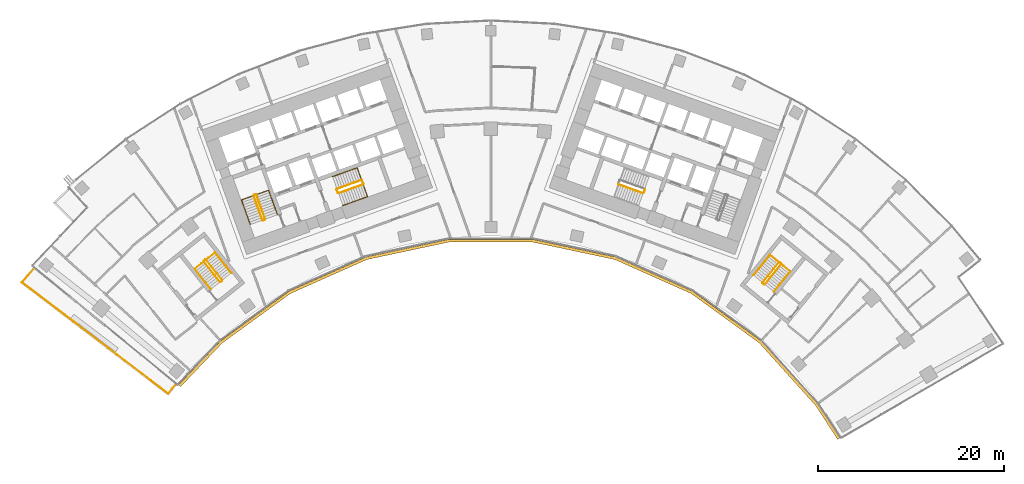
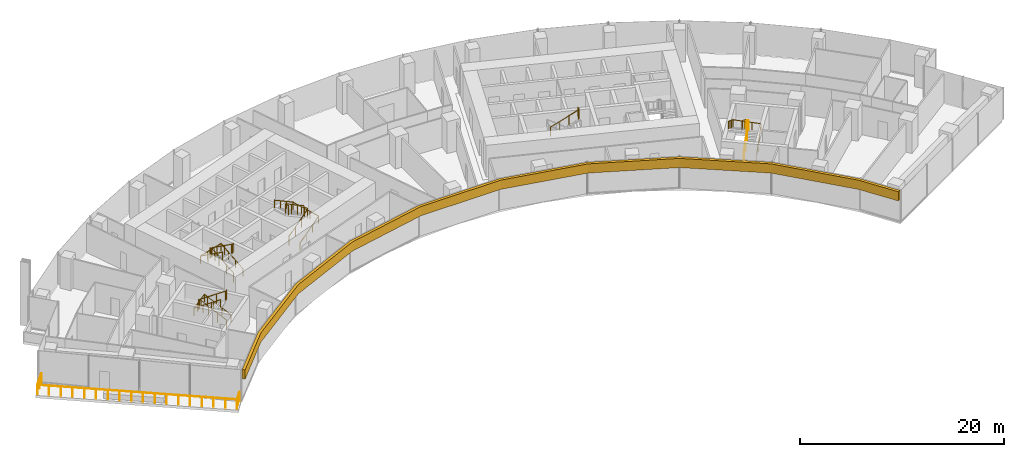
# One storey, part 19 of 20: 14 railings, 1 covering.
"""IFC4 building model written with IfcOpenShell, lengths in metres."""

from ifc_helpers import new_model, si_unit, direction, frame, origin, origin_2d, place, context, subcontext, project, spatial, polyline, circle, outline, extrude, material, layer, layer_set, type_object, element, save


model = new_model("IFC4")

# Units and contexts
model_context = context("Model", 3, precision=1e-05, world=origin(), true_north=direction((0.0, 1.0)))
body_context = subcontext(model_context, "Body", "Model", "MODEL_VIEW")
ifc_project = project(units=[si_unit("LENGTHUNIT", "METRE"), si_unit("AREAUNIT", "SQUARE_METRE"), si_unit("VOLUMEUNIT", "CUBIC_METRE"), si_unit("PLANEANGLEUNIT", "RADIAN"), si_unit("MASSUNIT", "GRAM", prefix="KILO")], contexts=[model_context])

# Site, building, storey
site_placement = place(None, origin())
site = spatial("IfcSite", under=ifc_project, at=site_placement, CompositionType="ELEMENT")
building_placement = place(site_placement, origin())
building = spatial("IfcBuilding", under=site, at=building_placement, Name="Stone Belt Terrace Tower", CompositionType="ELEMENT")
storey_placement = place(building_placement, frame((0.0, 0.0, 102.199951171875)))
storey = spatial("IfcBuildingStorey", under=building, at=storey_placement, Name="L24", CompositionType="ELEMENT", Elevation=102.199951171875)

# Railings
ifc_material_1 = material(Name="Structural steel C345", Category="steel")
railing_type_1 = type_object("IfcRailingType", Name="Stair guard 1100", PredefinedType="GUARDRAIL", material=ifc_material_1)
railing_1_placement = place(storey_placement, frame((-24.2119140625, 45.276123046875, 0.1728515625)))
element("IfcRailing", 1, at=railing_1_placement, inside=storey, type_object=railing_type_1, Name="L24 ST1A stair guard 1", PredefinedType="GUARDRAIL", context=body_context, shape_type="SweptSolid", body=[
    extrude(circle(Radius=0.02392578125, at=origin_2d()), frame((0.0, 0.0, 1.076171875), z_axis=(-0.288228637646, 0.800791768495, 0.525030280985), x_axis=(-0.940908529223, -0.338660803216, 0.0)), (0.0, 0.0, 1.0), 3.289794921875),
    extrude(circle(Radius=0.02392578125, at=origin_2d()), frame((-0.9482421875, 2.634521484375, 2.80322265625), z_axis=(-0.905209821074, 0.424964916, 0.0), x_axis=(-0.424964916, -0.905209821074, 0.0)), (0.0, 0.0, 1.0), 0.070556640625),
    extrude(circle(Radius=0.02392578125, at=origin_2d()), frame((-1.01220703125, 2.66455078125, 2.80322265625), z_axis=(-0.941105063269, -0.338114270461, 0.0), x_axis=(0.338114270461, -0.941105063269, 0.0)), (0.0, 0.0, 1.0), 0.199951171875),
    extrude(circle(Radius=0.02099609375, at=origin_2d()), origin(), (0.0, 0.0, 1.0), 1.052001953125),
    extrude(circle(Radius=0.02099609375, at=origin_2d()), frame((-0.316162109375, 0.878173828125, 0.57568359375)), (0.0, 0.0, 1.0), 1.052001953125),
    extrude(circle(Radius=0.02099609375, at=origin_2d()), frame((-0.632080078125, 1.75634765625, 1.151611328125)), (0.0, 0.0, 1.0), 1.052001953125),
    extrude(circle(Radius=0.02099609375, at=origin_2d()), frame((-0.9482421875, 2.634521484375, 1.727294921875)), (0.0, 0.0, 1.0), 1.052001953125),
    extrude(circle(Radius=0.02099609375, at=origin_2d()), frame((-1.01220703125, 2.66455078125, 1.727294921875)), (0.0, 0.0, 1.0), 1.052001953125),
    extrude(circle(Radius=0.02099609375, at=origin_2d()), frame((-1.200439453125, 2.596923828125, 1.727294921875)), (0.0, 0.0, 1.0), 1.052001953125),
])
railing_2_placement = place(storey_placement, frame((-25.4423828125, 47.80908203125, 2.07275390625)))
element("IfcRailing", 2, at=railing_2_placement, inside=storey, type_object=railing_type_1, Name="L24 ST1A stair guard 2", PredefinedType="GUARDRAIL", context=body_context, shape_type="SweptSolid", body=[
    extrude(circle(Radius=0.02392578125, at=origin_2d()), frame((0.0, 0.0, 1.076171875), z_axis=(0.288228637646, -0.800791768495, 0.525030280985), x_axis=(0.940908529223, 0.338660803216, 0.0)), (0.0, 0.0, 1.0), 3.289794921875),
    extrude(circle(Radius=0.02392578125, at=origin_2d()), frame((0.9482421875, -2.634521484375, 2.80322265625), z_axis=(0.903878284585, -0.427789722475, 0.0), x_axis=(0.427789722475, 0.903878284585, 0.0)), (0.0, 0.0, 1.0), 0.07080078125),
    extrude(circle(Radius=0.02392578125, at=origin_2d()), frame((1.01220703125, -2.664794921875, 2.80322265625), z_axis=(0.940575576748, 0.339584429008, 0.0), x_axis=(-0.339584429008, 0.940575576748, 0.0)), (0.0, 0.0, 1.0), 0.199951171875),
    extrude(circle(Radius=0.02099609375, at=origin_2d()), origin(), (0.0, 0.0, 1.0), 1.052001953125),
    extrude(circle(Radius=0.02099609375, at=origin_2d()), frame((0.316162109375, -0.878173828125, 0.57568359375)), (0.0, 0.0, 1.0), 1.052001953125),
    extrude(circle(Radius=0.02099609375, at=origin_2d()), frame((0.632080078125, -1.75634765625, 1.151611328125)), (0.0, 0.0, 1.0), 1.052001953125),
    extrude(circle(Radius=0.02099609375, at=origin_2d()), frame((0.9482421875, -2.634521484375, 1.727294921875)), (0.0, 0.0, 1.0), 1.052001953125),
    extrude(circle(Radius=0.02099609375, at=origin_2d()), frame((1.01220703125, -2.664794921875, 1.727294921875)), (0.0, 0.0, 1.0), 1.052001953125),
    extrude(circle(Radius=0.02099609375, at=origin_2d()), frame((1.2001953125, -2.596923828125, 1.727294921875)), (0.0, 0.0, 1.0), 1.052001953125),
])
railing_3_placement = place(storey_placement, frame((-16.33837890625, 48.056640625, 0.1728515625)))
element("IfcRailing", 3, at=railing_3_placement, inside=storey, type_object=railing_type_1, Name="L24 ST2A stair guard 1", PredefinedType="GUARDRAIL", context=body_context, shape_type="SweptSolid", body=[
    extrude(circle(Radius=0.02392578125, at=origin_2d()), frame((0.0, 0.0, 1.076171875), z_axis=(0.800808895155, 0.288160591223, 0.52504150989), x_axis=(-0.338583606334, 0.940936311087, 0.0)), (0.0, 0.0, 1.0), 3.289794921875),
    extrude(circle(Radius=0.02392578125, at=origin_2d()), frame((2.634521484375, 0.947998046875, 2.80322265625), z_axis=(0.427789722475, 0.903878284585, 0.0), x_axis=(-0.903878284585, 0.427789722475, 0.0)), (0.0, 0.0, 1.0), 0.07080078125),
    extrude(circle(Radius=0.02392578125, at=origin_2d()), frame((2.664794921875, 1.011962890625, 2.80322265625), z_axis=(-0.338654645739, 0.940910745459, 0.0), x_axis=(-0.940910745459, -0.338654645739, 0.0)), (0.0, 0.0, 1.0), 0.400146484375),
    extrude(circle(Radius=0.02099609375, at=origin_2d()), origin(), (0.0, 0.0, 1.0), 1.052001953125),
    extrude(circle(Radius=0.02099609375, at=origin_2d()), frame((0.878173828125, 0.31591796875, 0.57568359375)), (0.0, 0.0, 1.0), 1.052001953125),
    extrude(circle(Radius=0.02099609375, at=origin_2d()), frame((1.75634765625, 0.632080078125, 1.151611328125)), (0.0, 0.0, 1.0), 1.052001953125),
    extrude(circle(Radius=0.02099609375, at=origin_2d()), frame((2.634521484375, 0.947998046875, 1.727294921875)), (0.0, 0.0, 1.0), 1.052001953125),
    extrude(circle(Radius=0.02099609375, at=origin_2d()), frame((2.664794921875, 1.011962890625, 1.727294921875)), (0.0, 0.0, 1.0), 1.052001953125),
    extrude(circle(Radius=0.02099609375, at=origin_2d()), frame((2.529296875, 1.388427734375, 1.727294921875)), (0.0, 0.0, 1.0), 1.052001953125),
])
railing_4_placement = place(storey_placement, frame((-13.873046875, 49.47509765625, 2.07275390625)))
element("IfcRailing", 4, at=railing_4_placement, inside=storey, type_object=railing_type_1, Name="L24 ST2A stair guard 2", PredefinedType="GUARDRAIL", context=body_context, shape_type="SweptSolid", body=[
    extrude(circle(Radius=0.02392578125, at=origin_2d()), frame((0.0, 0.0, 1.076171875), z_axis=(-0.800808895155, -0.288160591223, 0.52504150989), x_axis=(0.338583606334, -0.940936311087, 0.0)), (0.0, 0.0, 1.0), 3.289794921875),
    extrude(circle(Radius=0.02392578125, at=origin_2d()), frame((-2.634521484375, -0.947998046875, 2.80322265625), z_axis=(-0.427789722475, -0.903878284585, 0.0), x_axis=(0.903878284585, -0.427789722475, 0.0)), (0.0, 0.0, 1.0), 0.07080078125),
    extrude(circle(Radius=0.02392578125, at=origin_2d()), frame((-2.664794921875, -1.011962890625, 2.80322265625), z_axis=(0.338654645739, -0.940910745459, 0.0), x_axis=(0.940910745459, 0.338654645739, 0.0)), (0.0, 0.0, 1.0), 0.400146484375),
    extrude(circle(Radius=0.02099609375, at=origin_2d()), origin(), (0.0, 0.0, 1.0), 1.052001953125),
    extrude(circle(Radius=0.02099609375, at=origin_2d()), frame((-0.878173828125, -0.31591796875, 0.57568359375)), (0.0, 0.0, 1.0), 1.052001953125),
    extrude(circle(Radius=0.02099609375, at=origin_2d()), frame((-1.75634765625, -0.632080078125, 1.151611328125)), (0.0, 0.0, 1.0), 1.052001953125),
    extrude(circle(Radius=0.02099609375, at=origin_2d()), frame((-2.634521484375, -0.947998046875, 1.727294921875)), (0.0, 0.0, 1.0), 1.052001953125),
    extrude(circle(Radius=0.02099609375, at=origin_2d()), frame((-2.664794921875, -1.011962890625, 1.727294921875)), (0.0, 0.0, 1.0), 1.052001953125),
    extrude(circle(Radius=0.02099609375, at=origin_2d()), frame((-2.529296875, -1.388427734375, 1.727294921875)), (0.0, 0.0, 1.0), 1.052001953125),
])
railing_5_placement = place(storey_placement, frame((13.703857421875, 49.004638671875, 2.07275390625)))
element("IfcRailing", 5, at=railing_5_placement, inside=storey, type_object=railing_type_1, Name="L24 ST2B stair guard 2", PredefinedType="GUARDRAIL", context=body_context, shape_type="SweptSolid", body=[
    extrude(circle(Radius=0.02392578125, at=origin_2d()), frame((0.0, 0.0, 1.076171875), z_axis=(0.800808895155, -0.288160591223, 0.52504150989), x_axis=(0.338583606334, 0.940936311087, 0.0)), (0.0, 0.0, 1.0), 3.289794921875),
    extrude(circle(Radius=0.02392578125, at=origin_2d()), frame((2.634521484375, -0.947998046875, 2.80322265625), z_axis=(0.905209821074, 0.424964916, 0.0), x_axis=(-0.424964916, 0.905209821074, 0.0)), (0.0, 0.0, 1.0), 0.070556640625),
    extrude(circle(Radius=0.02392578125, at=origin_2d()), frame((2.698486328125, -0.91796875, 2.80322265625), z_axis=(0.338654645739, 0.940910745459, 0.0), x_axis=(-0.940910745459, 0.338654645739, 0.0)), (0.0, 0.0, 1.0), 0.400146484375),
    extrude(circle(Radius=0.02099609375, at=origin_2d()), origin(), (0.0, 0.0, 1.0), 1.052001953125),
    extrude(circle(Radius=0.02099609375, at=origin_2d()), frame((0.878173828125, -0.31591796875, 0.57568359375)), (0.0, 0.0, 1.0), 1.052001953125),
    extrude(circle(Radius=0.02099609375, at=origin_2d()), frame((1.75634765625, -0.632080078125, 1.151611328125)), (0.0, 0.0, 1.0), 1.052001953125),
    extrude(circle(Radius=0.02099609375, at=origin_2d()), frame((2.634521484375, -0.947998046875, 1.727294921875)), (0.0, 0.0, 1.0), 1.052001953125),
    extrude(circle(Radius=0.02099609375, at=origin_2d()), frame((2.698486328125, -0.91796875, 1.727294921875)), (0.0, 0.0, 1.0), 1.052001953125),
    extrude(circle(Radius=0.02099609375, at=origin_2d()), frame((2.833984375, -0.54150390625, 1.727294921875)), (0.0, 0.0, 1.0), 1.052001953125),
])
railing_6_placement = place(storey_placement, frame((-28.814208984375, 38.734619140625, 0.1728515625)))
element("IfcRailing", 6, at=railing_6_placement, inside=storey, type_object=railing_type_1, Name="L24 ST3A stair guard 1", PredefinedType="GUARDRAIL", context=body_context, shape_type="SweptSolid", body=[
    extrude(circle(Radius=0.02392578125, at=origin_2d()), frame((0.0, 0.0, 1.076171875), z_axis=(-0.530306321799, 0.665665785969, 0.525037395288), x_axis=(-0.782143211408, -0.623098705543, 0.0)), (0.0, 0.0, 1.0), 3.289794921875),
    extrude(circle(Radius=0.02392578125, at=origin_2d()), frame((-1.74462890625, 2.18994140625, 2.80322265625), z_axis=(-0.993883734674, 0.110431526075, 0.0), x_axis=(-0.110431526075, -0.993883734674, 0.0)), (0.0, 0.0, 1.0), 0.07080078125),
    extrude(circle(Radius=0.02392578125, at=origin_2d()), frame((-1.81494140625, 2.19775390625, 2.80322265625), z_axis=(-0.782533463299, -0.622608527742, 0.0), x_axis=(0.622608527742, -0.782533463299, 0.0)), (0.0, 0.0, 1.0), 0.199951171875),
    extrude(circle(Radius=0.02099609375, at=origin_2d()), origin(), (0.0, 0.0, 1.0), 1.052001953125),
    extrude(circle(Radius=0.02099609375, at=origin_2d()), frame((-0.58154296875, 0.72998046875, 0.57568359375)), (0.0, 0.0, 1.0), 1.052001953125),
    extrude(circle(Radius=0.02099609375, at=origin_2d()), frame((-1.1630859375, 1.4599609375, 1.151611328125)), (0.0, 0.0, 1.0), 1.052001953125),
    extrude(circle(Radius=0.02099609375, at=origin_2d()), frame((-1.74462890625, 2.18994140625, 1.727294921875)), (0.0, 0.0, 1.0), 1.052001953125),
    extrude(circle(Radius=0.02099609375, at=origin_2d()), frame((-1.81494140625, 2.19775390625, 1.727294921875)), (0.0, 0.0, 1.0), 1.052001953125),
    extrude(circle(Radius=0.02099609375, at=origin_2d()), frame((-1.971435546875, 2.0732421875, 1.727294921875)), (0.0, 0.0, 1.0), 1.052001953125),
])
railing_7_placement = place(storey_placement, frame((-30.793701171875, 40.737548828125, 2.07275390625)))
element("IfcRailing", 7, at=railing_7_placement, inside=storey, type_object=railing_type_1, Name="L24 ST3A stair guard 2", PredefinedType="GUARDRAIL", context=body_context, shape_type="SweptSolid", body=[
    extrude(circle(Radius=0.02392578125, at=origin_2d()), frame((0.0, 0.0, 1.076171875), z_axis=(0.530359659125, -0.665639588968, 0.525016732659), x_axis=(0.782100716982, 0.62315204284, 0.0)), (0.0, 0.0, 1.0), 3.2900390625),
    extrude(circle(Radius=0.02392578125, at=origin_2d()), frame((1.744873046875, -2.18994140625, 2.80322265625), z_axis=(0.993499272973, -0.113838458361, 0.0), x_axis=(0.113838458361, 0.993499272973, 0.0)), (0.0, 0.0, 1.0), 0.07080078125),
    extrude(circle(Radius=0.02392578125, at=origin_2d()), frame((1.815185546875, -2.197998046875, 2.80322265625), z_axis=(0.781464082609, 0.623950228458, 0.0), x_axis=(-0.623950228458, 0.781464082609, 0.0)), (0.0, 0.0, 1.0), 0.199951171875),
    extrude(circle(Radius=0.02099609375, at=origin_2d()), origin(), (0.0, 0.0, 1.0), 1.052001953125),
    extrude(circle(Radius=0.02099609375, at=origin_2d()), frame((0.58154296875, -0.72998046875, 0.57568359375)), (0.0, 0.0, 1.0), 1.052001953125),
    extrude(circle(Radius=0.02099609375, at=origin_2d()), frame((1.163330078125, -1.4599609375, 1.151611328125)), (0.0, 0.0, 1.0), 1.052001953125),
    extrude(circle(Radius=0.02099609375, at=origin_2d()), frame((1.744873046875, -2.18994140625, 1.727294921875)), (0.0, 0.0, 1.0), 1.052001953125),
    extrude(circle(Radius=0.02099609375, at=origin_2d()), frame((1.815185546875, -2.197998046875, 1.727294921875)), (0.0, 0.0, 1.0), 1.052001953125),
    extrude(circle(Radius=0.02099609375, at=origin_2d()), frame((1.971435546875, -2.0732421875, 1.727294921875)), (0.0, 0.0, 1.0), 1.052001953125),
])
railing_8_placement = place(storey_placement, frame((29.39794921875, 38.281982421875, 0.1728515625)))
element("IfcRailing", 8, at=railing_8_placement, inside=storey, type_object=railing_type_1, Name="L24 ST3B stair guard 1", PredefinedType="GUARDRAIL", context=body_context, shape_type="SweptSolid", body=[
    extrude(circle(Radius=0.02392578125, at=origin_2d()), frame((0.0, 0.0, 1.076171875), z_axis=(0.536393061503, 0.660769759217, 0.525038864158), x_axis=(-0.776391310223, 0.630251166924, 0.0)), (0.0, 0.0, 1.0), 3.289794921875),
    extrude(circle(Radius=0.02392578125, at=origin_2d()), frame((1.7646484375, 2.173828125, 2.80322265625), z_axis=(-0.103251414163, 0.994655289773, 0.0), x_axis=(-0.994655289773, -0.103251414163, 0.0)), (0.0, 0.0, 1.0), 0.071044921875),
    extrude(circle(Radius=0.02392578125, at=origin_2d()), frame((1.75732421875, 2.244384765625, 2.80322265625), z_axis=(-0.776561986372, 0.630040856868, 0.0), x_axis=(-0.630040856868, -0.776561986372, 0.0)), (0.0, 0.0, 1.0), 0.199951171875),
    extrude(circle(Radius=0.02099609375, at=origin_2d()), origin(), (0.0, 0.0, 1.0), 1.052001953125),
    extrude(circle(Radius=0.02099609375, at=origin_2d()), frame((0.588134765625, 0.724609375, 0.57568359375)), (0.0, 0.0, 1.0), 1.052001953125),
    extrude(circle(Radius=0.02099609375, at=origin_2d()), frame((1.176513671875, 1.44921875, 1.151611328125)), (0.0, 0.0, 1.0), 1.052001953125),
    extrude(circle(Radius=0.02099609375, at=origin_2d()), frame((1.7646484375, 2.173828125, 1.727294921875)), (0.0, 0.0, 1.0), 1.052001953125),
    extrude(circle(Radius=0.02099609375, at=origin_2d()), frame((1.75732421875, 2.244384765625, 1.727294921875)), (0.0, 0.0, 1.0), 1.052001953125),
    extrude(circle(Radius=0.02099609375, at=origin_2d()), frame((1.60205078125, 2.370361328125, 1.727294921875)), (0.0, 0.0, 1.0), 1.052001953125),
])
railing_9_placement = place(storey_placement, frame((30.9296875, 40.64501953125, 2.07275390625)))
element("IfcRailing", 9, at=railing_9_placement, inside=storey, type_object=railing_type_1, Name="L24 ST3B stair guard 2", PredefinedType="GUARDRAIL", context=body_context, shape_type="SweptSolid", body=[
    extrude(circle(Radius=0.02392578125, at=origin_2d()), frame((0.0, 0.0, 1.076171875), z_axis=(-0.536366759382, -0.660811565066, 0.525013118792), x_axis=(0.776425942316, -0.630208502084, 0.0)), (0.0, 0.0, 1.0), 3.2900390625),
    extrude(circle(Radius=0.02392578125, at=origin_2d()), frame((-1.7646484375, -2.174072265625, 2.80322265625), z_axis=(0.103606084259, -0.994618408891, 0.0), x_axis=(0.994618408891, 0.103606084259, 0.0)), (0.0, 0.0, 1.0), 0.07080078125),
    extrude(circle(Radius=0.02392578125, at=origin_2d()), frame((-1.75732421875, -2.244384765625, 2.80322265625), z_axis=(0.776561986372, -0.630040856868, 0.0), x_axis=(0.630040856868, 0.776561986372, 0.0)), (0.0, 0.0, 1.0), 0.199951171875),
    extrude(circle(Radius=0.02099609375, at=origin_2d()), origin(), (0.0, 0.0, 1.0), 1.052001953125),
    extrude(circle(Radius=0.02099609375, at=origin_2d()), frame((-0.588134765625, -0.724609375, 0.57568359375)), (0.0, 0.0, 1.0), 1.052001953125),
    extrude(circle(Radius=0.02099609375, at=origin_2d()), frame((-1.176513671875, -1.449462890625, 1.151611328125)), (0.0, 0.0, 1.0), 1.052001953125),
    extrude(circle(Radius=0.02099609375, at=origin_2d()), frame((-1.7646484375, -2.174072265625, 1.727294921875)), (0.0, 0.0, 1.0), 1.052001953125),
    extrude(circle(Radius=0.02099609375, at=origin_2d()), frame((-1.75732421875, -2.244384765625, 1.727294921875)), (0.0, 0.0, 1.0), 1.052001953125),
    extrude(circle(Radius=0.02099609375, at=origin_2d()), frame((-1.60205078125, -2.370361328125, 1.727294921875)), (0.0, 0.0, 1.0), 1.052001953125),
])
railing_type_2 = type_object("IfcRailingType", Name="Stair handrail 900", PredefinedType="HANDRAIL", material=ifc_material_1)
railing_10_placement = place(storey_placement, frame((-22.894775390625, 45.750244140625, 0.1728515625)))
element("IfcRailing", 10, at=railing_10_placement, inside=storey, type_object=railing_type_2, Name="L24 ST1A stair handrail 1", PredefinedType="HANDRAIL", context=body_context, shape_type="SweptSolid", body=[
    extrude(circle(Radius=0.02392578125, at=origin_2d()), frame((0.0, 0.0, 0.8759765625), z_axis=(-0.288160591223, 0.800808895155, 0.52504150989), x_axis=(-0.940936311087, -0.338583606334, 0.0)), (0.0, 0.0, 1.0), 3.289794921875),
    extrude(circle(Radius=0.02392578125, at=origin_2d()), frame((-0.947998046875, 2.634521484375, 2.60302734375), z_axis=(-0.939464517435, -0.338106580597, 0.055591012205), x_axis=(0.338630230244, -0.940919532779, 0.0)), (0.0, 0.0, 1.0), 3.10498046875),
    extrude(circle(Radius=0.02392578125, at=origin_2d()), frame((-3.864990234375, 1.584716796875, 2.77587890625), z_axis=(0.288228637646, -0.800791768495, 0.525030280985), x_axis=(0.940908529223, 0.338660803216, 0.0)), (0.0, 0.0, 1.0), 3.289794921875),
    extrude(circle(Radius=0.02099609375, at=origin_2d()), origin(), (0.0, 0.0, 1.0), 0.851806640625),
    extrude(circle(Radius=0.02099609375, at=origin_2d()), frame((-0.31591796875, 0.878173828125, 0.57568359375)), (0.0, 0.0, 1.0), 0.851806640625),
    extrude(circle(Radius=0.02099609375, at=origin_2d()), frame((-0.632080078125, 1.75634765625, 1.151611328125)), (0.0, 0.0, 1.0), 0.851806640625),
    extrude(circle(Radius=0.02099609375, at=origin_2d()), frame((-0.947998046875, 2.634521484375, 1.727294921875)), (0.0, 0.0, 1.0), 0.851806640625),
    extrude(circle(Radius=0.02099609375, at=origin_2d()), frame((-1.92041015625, 2.28466796875, 1.784912109375)), (0.0, 0.0, 1.0), 0.851806640625),
    extrude(circle(Radius=0.02099609375, at=origin_2d()), frame((-2.892578125, 1.9345703125, 1.84228515625)), (0.0, 0.0, 1.0), 0.851806640625),
    extrude(circle(Radius=0.02099609375, at=origin_2d()), frame((-3.864990234375, 1.584716796875, 1.89990234375)), (0.0, 0.0, 1.0), 0.851806640625),
    extrude(circle(Radius=0.02099609375, at=origin_2d()), frame((-3.548828125, 0.70654296875, 2.4755859375)), (0.0, 0.0, 1.0), 0.851806640625),
    extrude(circle(Radius=0.02099609375, at=origin_2d()), frame((-3.23291015625, -0.171630859375, 3.051513671875)), (0.0, 0.0, 1.0), 0.851806640625),
    extrude(circle(Radius=0.02099609375, at=origin_2d()), frame((-2.916748046875, -1.0498046875, 3.627197265625)), (0.0, 0.0, 1.0), 0.851806640625),
])
railing_11_placement = place(storey_placement, frame((-15.8642578125, 46.7392578125, 0.1728515625)))
element("IfcRailing", 11, at=railing_11_placement, inside=storey, type_object=railing_type_2, Name="L24 ST2A stair handrail 1", PredefinedType="HANDRAIL", context=body_context, shape_type="SweptSolid", body=[
    extrude(circle(Radius=0.02392578125, at=origin_2d()), frame((0.0, 0.0, 0.8759765625), z_axis=(0.800791768495, 0.288228637646, 0.525030280985), x_axis=(-0.338660803216, 0.940908529223, 0.0)), (0.0, 0.0, 1.0), 3.289794921875),
    extrude(circle(Radius=0.02392578125, at=origin_2d()), frame((2.634521484375, 0.9482421875, 2.60302734375), z_axis=(-0.338160254016, 0.939637778147, 0.052234935458), x_axis=(-0.940922302781, -0.338622533404, 0.0)), (0.0, 0.0, 1.0), 3.304443359375),
    extrude(circle(Radius=0.02392578125, at=origin_2d()), frame((1.51708984375, 4.05322265625, 2.77587890625), z_axis=(-0.800791768495, -0.288228637646, 0.525030280985), x_axis=(0.338660803216, -0.940908529223, 0.0)), (0.0, 0.0, 1.0), 3.289794921875),
    extrude(circle(Radius=0.02099609375, at=origin_2d()), origin(), (0.0, 0.0, 1.0), 0.851806640625),
    extrude(circle(Radius=0.02099609375, at=origin_2d()), frame((0.878173828125, 0.316162109375, 0.57568359375)), (0.0, 0.0, 1.0), 0.851806640625),
    extrude(circle(Radius=0.02099609375, at=origin_2d()), frame((1.75634765625, 0.632080078125, 1.151611328125)), (0.0, 0.0, 1.0), 0.851806640625),
    extrude(circle(Radius=0.02099609375, at=origin_2d()), frame((2.634521484375, 0.9482421875, 1.727294921875)), (0.0, 0.0, 1.0), 0.851806640625),
    extrude(circle(Radius=0.02099609375, at=origin_2d()), frame((2.261962890625, 1.983154296875, 1.784912109375)), (0.0, 0.0, 1.0), 0.851806640625),
    extrude(circle(Radius=0.02099609375, at=origin_2d()), frame((1.8896484375, 3.018310546875, 1.84228515625)), (0.0, 0.0, 1.0), 0.851806640625),
    extrude(circle(Radius=0.02099609375, at=origin_2d()), frame((1.51708984375, 4.05322265625, 1.89990234375)), (0.0, 0.0, 1.0), 0.851806640625),
    extrude(circle(Radius=0.02099609375, at=origin_2d()), frame((0.638916015625, 3.737060546875, 2.4755859375)), (0.0, 0.0, 1.0), 0.851806640625),
    extrude(circle(Radius=0.02099609375, at=origin_2d()), frame((-0.2392578125, 3.421142578125, 3.051513671875)), (0.0, 0.0, 1.0), 0.851806640625),
    extrude(circle(Radius=0.02099609375, at=origin_2d()), frame((-1.117431640625, 3.10498046875, 3.627197265625)), (0.0, 0.0, 1.0), 0.851806640625),
])
railing_12_placement = place(storey_placement, frame((-27.836669921875, 39.513427734375, 0.1728515625)))
element("IfcRailing", 12, at=railing_12_placement, inside=storey, type_object=railing_type_2, Name="L24 ST3A stair handrail 1", PredefinedType="HANDRAIL", context=body_context, shape_type="SweptSolid", body=[
    extrude(circle(Radius=0.02392578125, at=origin_2d()), frame((0.0, 0.0, 0.8759765625), z_axis=(-0.530306321799, 0.665665785969, 0.525037395288), x_axis=(-0.782143211408, -0.623098705543, 0.0)), (0.0, 0.0, 1.0), 3.289794921875),
    extrude(circle(Radius=0.02392578125, at=origin_2d()), frame((-1.74462890625, 2.18994140625, 2.60302734375), z_axis=(-0.780661215256, -0.62191806513, 0.061530376721), x_axis=(0.623098705543, -0.782143211408, 0.0)), (0.0, 0.0, 1.0), 2.80517578125),
    extrude(circle(Radius=0.02392578125, at=origin_2d()), frame((-3.9345703125, 0.4453125, 2.77587890625), z_axis=(0.530306321799, -0.665665785969, 0.525037395288), x_axis=(0.782143211408, 0.623098705543, 0.0)), (0.0, 0.0, 1.0), 3.289794921875),
    extrude(circle(Radius=0.02099609375, at=origin_2d()), origin(), (0.0, 0.0, 1.0), 0.851806640625),
    extrude(circle(Radius=0.02099609375, at=origin_2d()), frame((-0.58154296875, 0.72998046875, 0.57568359375)), (0.0, 0.0, 1.0), 0.851806640625),
    extrude(circle(Radius=0.02099609375, at=origin_2d()), frame((-1.1630859375, 1.4599609375, 1.151611328125)), (0.0, 0.0, 1.0), 0.851806640625),
    extrude(circle(Radius=0.02099609375, at=origin_2d()), frame((-1.74462890625, 2.18994140625, 1.727294921875)), (0.0, 0.0, 1.0), 0.851806640625),
    extrude(circle(Radius=0.02099609375, at=origin_2d()), frame((-2.474609375, 1.6083984375, 1.784912109375)), (0.0, 0.0, 1.0), 0.851806640625),
    extrude(circle(Radius=0.02099609375, at=origin_2d()), frame((-3.20458984375, 1.02685546875, 1.84228515625)), (0.0, 0.0, 1.0), 0.851806640625),
    extrude(circle(Radius=0.02099609375, at=origin_2d()), frame((-3.9345703125, 0.4453125, 1.89990234375)), (0.0, 0.0, 1.0), 0.851806640625),
    extrude(circle(Radius=0.02099609375, at=origin_2d()), frame((-3.35302734375, -0.28466796875, 2.4755859375)), (0.0, 0.0, 1.0), 0.851806640625),
    extrude(circle(Radius=0.02099609375, at=origin_2d()), frame((-2.771484375, -1.0146484375, 3.051513671875)), (0.0, 0.0, 1.0), 0.851806640625),
    extrude(circle(Radius=0.02099609375, at=origin_2d()), frame((-2.18994140625, -1.74462890625, 3.627197265625)), (0.0, 0.0, 1.0), 0.851806640625),
])
railing_13_placement = place(storey_placement, frame((30.36865234375, 37.494140625, 0.1728515625)))
element("IfcRailing", 13, at=railing_13_placement, inside=storey, type_object=railing_type_2, Name="L24 ST3B stair handrail 1", PredefinedType="HANDRAIL", context=body_context, shape_type="SweptSolid", body=[
    extrude(circle(Radius=0.02392578125, at=origin_2d()), frame((0.0, 0.0, 0.8759765625), z_axis=(0.536366759382, 0.660811565066, 0.525013118792), x_axis=(-0.776425942316, 0.630208502084, 0.0)), (0.0, 0.0, 1.0), 3.2900390625),
    extrude(circle(Radius=0.02392578125, at=origin_2d()), frame((1.7646484375, 2.174072265625, 2.60302734375), z_axis=(-0.774954966459, 0.629014542119, 0.061526463929), x_axis=(-0.630208502084, -0.776425942316, 0.0)), (0.0, 0.0, 1.0), 2.805419921875),
    extrude(circle(Radius=0.02392578125, at=origin_2d()), frame((-0.409423828125, 3.938720703125, 2.77587890625), z_axis=(-0.536366759382, -0.660811565066, 0.525013118792), x_axis=(0.776425942316, -0.630208502084, 0.0)), (0.0, 0.0, 1.0), 3.2900390625),
    extrude(circle(Radius=0.02099609375, at=origin_2d()), origin(), (0.0, 0.0, 1.0), 0.851806640625),
    extrude(circle(Radius=0.02099609375, at=origin_2d()), frame((0.588134765625, 0.724609375, 0.57568359375)), (0.0, 0.0, 1.0), 0.851806640625),
    extrude(circle(Radius=0.02099609375, at=origin_2d()), frame((1.176513671875, 1.449462890625, 1.151611328125)), (0.0, 0.0, 1.0), 0.851806640625),
    extrude(circle(Radius=0.02099609375, at=origin_2d()), frame((1.7646484375, 2.174072265625, 1.727294921875)), (0.0, 0.0, 1.0), 0.851806640625),
    extrude(circle(Radius=0.02099609375, at=origin_2d()), frame((1.0400390625, 2.76220703125, 1.784912109375)), (0.0, 0.0, 1.0), 0.851806640625),
    extrude(circle(Radius=0.02099609375, at=origin_2d()), frame((0.315185546875, 3.3505859375, 1.84228515625)), (0.0, 0.0, 1.0), 0.851806640625),
    extrude(circle(Radius=0.02099609375, at=origin_2d()), frame((-0.409423828125, 3.938720703125, 1.89990234375)), (0.0, 0.0, 1.0), 0.851806640625),
    extrude(circle(Radius=0.02099609375, at=origin_2d()), frame((-0.99755859375, 3.214111328125, 2.4755859375)), (0.0, 0.0, 1.0), 0.851806640625),
    extrude(circle(Radius=0.02099609375, at=origin_2d()), frame((-1.5859375, 2.4892578125, 3.051513671875)), (0.0, 0.0, 1.0), 0.851806640625),
    extrude(circle(Radius=0.02099609375, at=origin_2d()), frame((-2.174072265625, 1.7646484375, 3.627197265625)), (0.0, 0.0, 1.0), 0.851806640625),
])
ifc_material_2 = material(Name="Stainless steel AISI 304", Category="steel")
railing_type_3 = type_object("IfcRailingType", Name="Terrace guard 1200", PredefinedType="GUARDRAIL", material=ifc_material_2)
railing_14_placement = place(storey_placement, frame((-48.983154296875, 40.000244140625, 0.0)))
element("IfcRailing", 14, at=railing_14_placement, inside=storey, type_object=railing_type_3, Name="GUARD L24 1.1", PredefinedType="GUARDRAIL", context=body_context, shape_type="SweptSolid", body=[
    extrude(circle(Radius=0.02490234375, at=origin_2d()), frame((0.0, 0.0, 1.1748046875), z_axis=(-0.658254440006, -0.752795518193, 0.0), x_axis=(0.752795518193, -0.658254440006, 0.0)), (0.0, 0.0, 1.0), 2.00390625),
    extrude(circle(Radius=0.02490234375, at=origin_2d()), frame((-1.319091796875, -1.508544921875, 1.1748046875), z_axis=(0.795605547206, -0.605814999199, 0.0), x_axis=(0.605814999199, 0.795605547206, 0.0)), (0.0, 0.0, 1.0), 19.695556640625),
    extrude(circle(Radius=0.02490234375, at=origin_2d()), frame((14.350830078125, -13.4404296875, 1.1748046875), z_axis=(0.638091792005, 0.769960300909, 0.0), x_axis=(-0.769960300909, 0.638091792005, 0.0)), (0.0, 0.0, 1.0), 1.28662109375),
    extrude(circle(Radius=0.02001953125, at=origin_2d()), origin(), (0.0, 0.0, 1.0), 1.14990234375),
    extrude(circle(Radius=0.02001953125, at=origin_2d()), frame((-0.65966796875, -0.75439453125, 0.0)), (0.0, 0.0, 1.0), 1.14990234375),
    extrude(circle(Radius=0.02001953125, at=origin_2d()), frame((-1.319091796875, -1.508544921875, 0.0)), (0.0, 0.0, 1.0), 1.14990234375),
    extrude(circle(Radius=0.02001953125, at=origin_2d()), frame((-0.397216796875, -2.21044921875, 0.0)), (0.0, 0.0, 1.0), 1.14990234375),
    extrude(circle(Radius=0.02001953125, at=origin_2d()), frame((0.5244140625, -2.912353515625, 0.0)), (0.0, 0.0, 1.0), 1.14990234375),
    extrude(circle(Radius=0.02001953125, at=origin_2d()), frame((1.4462890625, -3.6142578125, 0.0)), (0.0, 0.0, 1.0), 1.14990234375),
    extrude(circle(Radius=0.02001953125, at=origin_2d()), frame((2.367919921875, -4.316162109375, 0.0)), (0.0, 0.0, 1.0), 1.14990234375),
    extrude(circle(Radius=0.02001953125, at=origin_2d()), frame((3.289794921875, -5.017822265625, 0.0)), (0.0, 0.0, 1.0), 1.14990234375),
    extrude(circle(Radius=0.02001953125, at=origin_2d()), frame((4.21142578125, -5.7197265625, 0.0)), (0.0, 0.0, 1.0), 1.14990234375),
    extrude(circle(Radius=0.02001953125, at=origin_2d()), frame((5.13330078125, -6.421630859375, 0.0)), (0.0, 0.0, 1.0), 1.14990234375),
    extrude(circle(Radius=0.02001953125, at=origin_2d()), frame((6.054931640625, -7.12353515625, 0.0)), (0.0, 0.0, 1.0), 1.14990234375),
    extrude(circle(Radius=0.02001953125, at=origin_2d()), frame((6.976806640625, -7.825439453125, 0.0)), (0.0, 0.0, 1.0), 1.14990234375),
    extrude(circle(Radius=0.02001953125, at=origin_2d()), frame((7.8984375, -8.52734375, 0.0)), (0.0, 0.0, 1.0), 1.14990234375),
    extrude(circle(Radius=0.02001953125, at=origin_2d()), frame((8.8203125, -9.229248046875, 0.0)), (0.0, 0.0, 1.0), 1.14990234375),
    extrude(circle(Radius=0.02001953125, at=origin_2d()), frame((9.741943359375, -9.93115234375, 0.0)), (0.0, 0.0, 1.0), 1.14990234375),
    extrude(circle(Radius=0.02001953125, at=origin_2d()), frame((10.663818359375, -10.6328125, 0.0)), (0.0, 0.0, 1.0), 1.14990234375),
    extrude(circle(Radius=0.02001953125, at=origin_2d()), frame((11.58544921875, -11.334716796875, 0.0)), (0.0, 0.0, 1.0), 1.14990234375),
    extrude(circle(Radius=0.02001953125, at=origin_2d()), frame((12.50732421875, -12.03662109375, 0.0)), (0.0, 0.0, 1.0), 1.14990234375),
    extrude(circle(Radius=0.02001953125, at=origin_2d()), frame((13.428955078125, -12.738525390625, 0.0)), (0.0, 0.0, 1.0), 1.14990234375),
    extrude(circle(Radius=0.02001953125, at=origin_2d()), frame((14.350830078125, -13.4404296875, 0.0)), (0.0, 0.0, 1.0), 1.14990234375),
    extrude(circle(Radius=0.02001953125, at=origin_2d()), frame((14.76123046875, -12.945068359375, 0.0)), (0.0, 0.0, 1.0), 1.14990234375),
    extrude(circle(Radius=0.02001953125, at=origin_2d()), frame((15.171875, -12.44970703125, 0.0)), (0.0, 0.0, 1.0), 1.14990234375),
])

# Covering
ifc_material_3 = material(Name="Terracotta coloured glazed ceramic", Category="masonry")
ifc_layer = layer(ifc_material_3, 0.300048828125)
ifc_layer_set = layer_set([ifc_layer], Name="Terracotta spandrel band 300 x 1100")
covering_type = type_object("IfcCoveringType", Name="Terracotta spandrel band 300 x 1100", PredefinedType="CLADDING", material=ifc_layer_set)
covering_placement = place(storey_placement, frame((0.0, 0.0, 2.699951171875)))
element("IfcCovering", 15, at=covering_placement, inside=storey, type_object=covering_type, Name="BAND L24", PredefinedType="CLADDING", context=body_context, shape_type="SweptSolid", body=[
    extrude(outline(polyline([(-33.519287109375, 27.490478515625), (-29.008056640625, 32.21337890625), (-21.674560546875, 37.54150390625), (-13.395751953125, 41.2275390625), (-4.53125, 43.11181640625), (4.53125, 43.11181640625), (13.395751953125, 41.2275390625), (21.674560546875, 37.54150390625), (29.00634765625, 32.214599609375), (35.072998046875, 25.47705078125), (37.46875, 21.802001953125), (37.217529296875, 21.63818359375), (34.83447265625, 25.29345703125), (28.804443359375, 31.990478515625), (21.523681640625, 37.2802734375), (13.302490234375, 40.940673828125), (4.499755859375, 42.811767578125), (-4.499755859375, 42.811767578125), (-13.302490234375, 40.940673828125), (-21.523681640625, 37.2802734375), (-28.809814453125, 31.986572265625), (-33.30224609375, 27.283203125), (-33.519287109375, 27.490478515625)])), origin(), (0.0, 0.0, 1.0), 1.10009765625),
])

save(model, "model.ifc")
